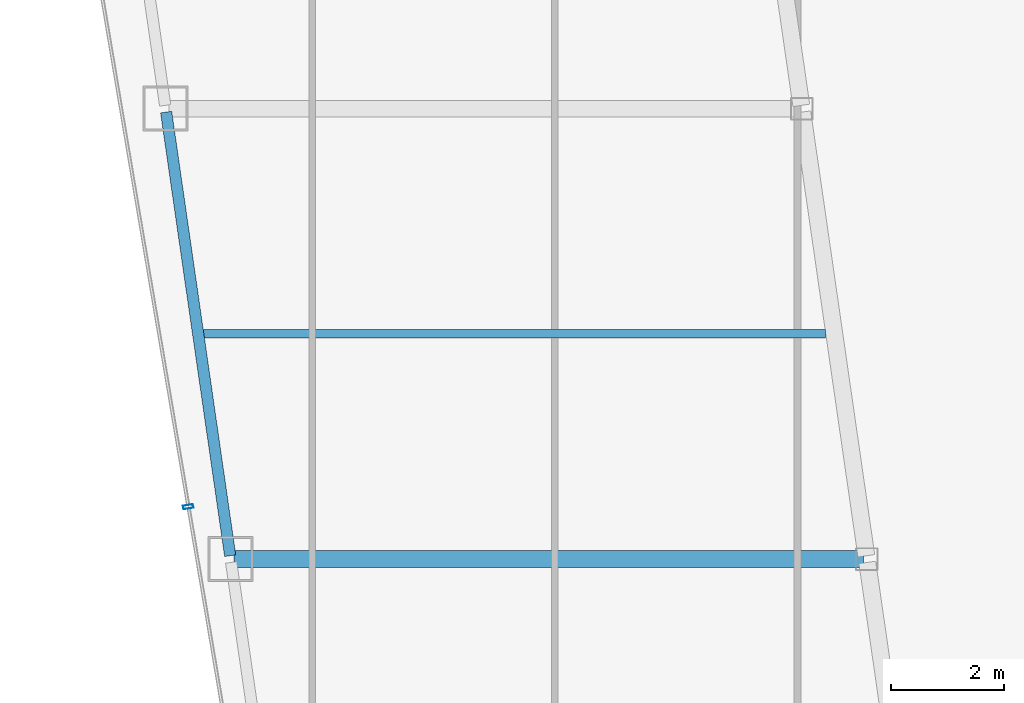
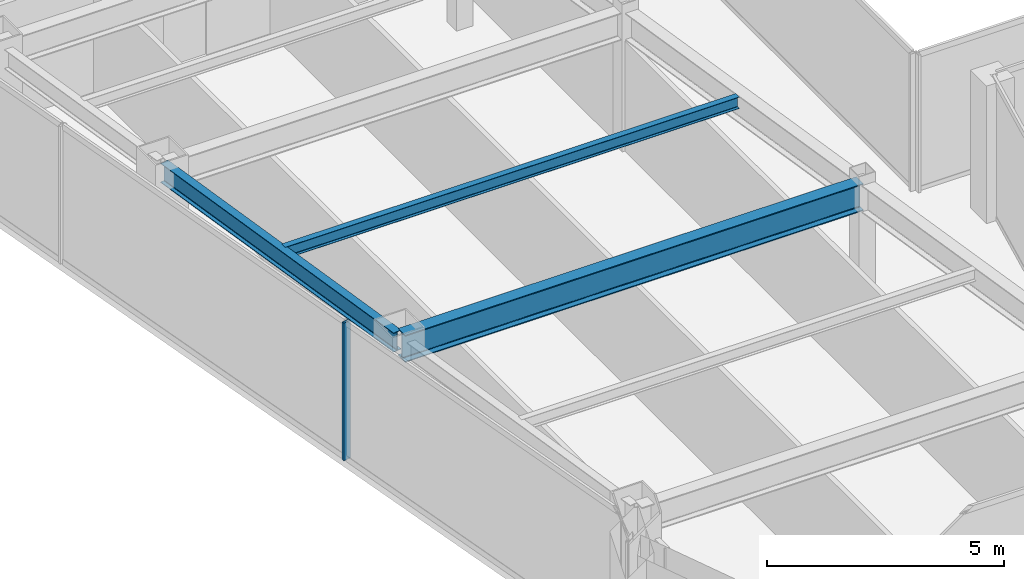
# One storey, part 5 of 35: 3 beams, 1 member, 1 element without a shape of its own.
"""IFC4 building model written with IfcOpenShell, lengths in metres."""

import ifcopenshell
import ifcopenshell.guid

model = None  # the IFC model being written
_history = None  # IfcOwnerHistory: only IFC2X3 demands one
_inside = {}  # id of a spatial element -> (the spatial element, [elements in it])
_under = {}  # id of a project, library or spatial element -> (it, [spatial elements below it])
_declared = {}  # id of a project -> (the project, [libraries it declares])
_typed = {}  # id of a type object -> (the type object, [elements of that type])
_made_of = {}  # id of a material, layer set ... -> (it, [elements and type objects made of it])


def new_model(schema):
    """Start an empty IFC model of exactly this schema.

    Asked for "IFC4X3", IfcOpenShell would pick the latest addendum, in which some entities
    have other attributes; the version numbers below select the first issue.
    IFC2X3 requires an IfcOwnerHistory on every rooted entity: one is made here for all.
    """
    global model, _history
    if schema == "IFC4X3":
        model = ifcopenshell.file(schema_version=(4, 3, 0, 0))
    else:
        model = ifcopenshell.file(schema=schema)
    _inside.clear()
    _under.clear()
    _declared.clear()
    _typed.clear()
    _made_of.clear()
    _history = None
    if model.schema == "IFC2X3":
        org = make("IfcOrganization", Name="unknown")
        user = make(
            "IfcPersonAndOrganization",
            ThePerson=make("IfcPerson", FamilyName="unknown"),
            TheOrganization=org,
        )
        app = make(
            "IfcApplication",
            ApplicationDeveloper=org,
            Version="unknown",
            ApplicationFullName="unknown",
            ApplicationIdentifier="unknown",
        )
        _history = make(
            "IfcOwnerHistory",
            OwningUser=user,
            OwningApplication=app,
            ChangeAction="ADDED",
            CreationDate=0,
        )
    return model


def make(cls, **values):
    """One entity of the class cls with the attributes given. An attribute that is None is left unset."""
    return model.create_entity(
        cls, **{name: value for name, value in values.items() if value is not None}
    )


def rooted(cls, **values):
    """An entity with a GlobalId (a new one), such as an element, a storey or a relation."""
    return make(cls, GlobalId=ifcopenshell.guid.new(), OwnerHistory=_history, **values)


def si_unit(unit_type, name, prefix=None):
    """IfcSIUnit, for example si_unit("LENGTHUNIT", "METRE", prefix="MILLI")."""
    return make("IfcSIUnit", UnitType=unit_type, Prefix=prefix, Name=name)


def assignment(units):
    """IfcUnitAssignment: the units of a project."""
    return None if units is None else make("IfcUnitAssignment", Units=units)


def point(xyz):
    """IfcCartesianPoint."""
    return None if xyz is None else make("IfcCartesianPoint", Coordinates=xyz)


def direction(xyz):
    """IfcDirection."""
    return None if xyz is None else make("IfcDirection", DirectionRatios=xyz)


def frame(location, z_axis=None, x_axis=None):
    """IfcAxis2Placement3D, a coordinate frame: its origin and axes. An axis left out is left unset."""
    return make(
        "IfcAxis2Placement3D",
        Location=point(location),
        Axis=direction(z_axis),
        RefDirection=direction(x_axis),
    )


def frame_2d(location, x_axis=None):
    """IfcAxis2Placement2D, a coordinate frame in the plane: its origin and x axis."""
    return make(
        "IfcAxis2Placement2D", Location=point(location), RefDirection=direction(x_axis)
    )


def origin():
    """The frame at (0, 0, 0) with its axes left unset."""
    return frame((0.0, 0.0, 0.0))


def origin_2d():
    """The frame at (0, 0) in the plane with its x axis left unset."""
    return frame_2d((0.0, 0.0))


def place(relative_to, where):
    """IfcLocalPlacement: puts the frame where relative to a parent placement (None: the world)."""
    return make(
        "IfcLocalPlacement", PlacementRelTo=relative_to, RelativePlacement=where
    )


def context(
    kind, dimensions, precision=None, world=None, true_north=None, identifier=None
):
    """IfcGeometricRepresentationContext, for example the 3D "Model" context."""
    return make(
        "IfcGeometricRepresentationContext",
        ContextIdentifier=identifier,
        ContextType=kind,
        CoordinateSpaceDimension=dimensions,
        Precision=precision,
        WorldCoordinateSystem=world,
        TrueNorth=true_north,
    )


def subcontext(parent, identifier, kind, view, scale=None):
    """IfcGeometricRepresentationSubContext, for example "Body" below "Model"."""
    return make(
        "IfcGeometricRepresentationSubContext",
        ContextIdentifier=identifier,
        ContextType=kind,
        ParentContext=parent,
        TargetScale=scale,
        TargetView=view,
    )


def project(units=None, contexts=None):
    """IfcProject with its units and contexts."""
    return rooted(
        "IfcProject",
        Name="project",
        RepresentationContexts=contexts,
        UnitsInContext=assignment(units),
    )


def spatial(cls, under=None, at=None, **own):
    """A site, building, storey or space (cls), placed at a placement, below another one or the project."""
    s = rooted(cls, ObjectPlacement=at, **own)
    if under is not None:
        _under.setdefault(under.id(), (under, []))[1].append(s)
    return s


def profile(cls, at=None, kind="AREA", **sizes):
    """A parametric profile (cls). Its sizes go by their IFC names, for example OverallWidth=200.0."""
    return make(cls, ProfileType=kind, Position=at, **sizes)


def hollow_rectangle(**sizes):
    """IfcRectangleHollowProfileDef."""
    return profile("IfcRectangleHollowProfileDef", **sizes)


def i_section(**sizes):
    """IfcIShapeProfileDef."""
    return profile("IfcIShapeProfileDef", **sizes)


def extrude(swept, where, along, depth):
    """IfcExtrudedAreaSolid: the profile swept, set in the frame where, extruded along a direction by depth."""
    return make(
        "IfcExtrudedAreaSolid",
        SweptArea=swept,
        Position=where,
        ExtrudedDirection=direction(along),
        Depth=depth,
    )


def shape(context_of_items, identifier, shape_type, items):
    """IfcShapeRepresentation: the items that make up one representation, for example the "Body"."""
    return make(
        "IfcShapeRepresentation",
        ContextOfItems=context_of_items,
        RepresentationIdentifier=identifier,
        RepresentationType=shape_type,
        Items=items,
    )


def material(Name=None, Category=None):
    """IfcMaterial."""
    return make("IfcMaterial", Name=Name, Category=Category)


def material_profile(
    of_material, cross_section, Name=None, Category=None, Priority=None
):
    """IfcMaterialProfile: a cross section and its material."""
    return make(
        "IfcMaterialProfile",
        Name=Name,
        Material=of_material,
        Profile=cross_section,
        Priority=Priority,
        Category=Category,
    )


def profile_set(profiles, Name=None, composite=None):
    """IfcMaterialProfileSet."""
    return make(
        "IfcMaterialProfileSet",
        Name=Name,
        MaterialProfiles=profiles,
        CompositeProfile=composite,
    )


def made_of(thing, what):
    """Note that an element or type object is made of a material, layer set ...; save() writes the relation."""
    if what is not None:
        _made_of.setdefault(what.id(), (what, []))[1].append(thing)
    return thing


def type_object(cls, material=None, **own):
    """A type object (cls), such as IfcWallType, which elements share."""
    return made_of(rooted(cls, **own), material)


def element(
    cls,
    number,
    at=None,
    inside=None,
    cuts=None,
    type_object=None,
    material=None,
    context=None,
    identifier="Body",
    shape_type=None,
    held_by="IfcProductDefinitionShape",
    body=None,
    shapes=None,
    **own,
):
    """One element of the class cls, such as IfcWall. Its Tag is "e" and its number.

    at: its placement. inside: the storey or other place that contains it. cuts: it is an
    opening in that element (IfcRelVoidsElement). A single representation is given by context,
    identifier, shape_type and body (its items); several are given by shapes. held_by: the class
    of the entity that holds the representations. save() writes the other relations.
    """
    e = rooted(cls, Tag="e%d" % number, ObjectPlacement=at, **own)
    if body is not None:
        shapes = [shape(context, identifier, shape_type, body)]
    if shapes is not None:
        e.Representation = make(held_by, Representations=shapes)
    if inside is not None:
        _inside.setdefault(inside.id(), (inside, []))[1].append(e)
    if cuts is not None:
        rooted(
            "IfcRelVoidsElement", RelatingBuildingElement=cuts, RelatedOpeningElement=e
        )
    if type_object is not None:
        _typed.setdefault(type_object.id(), (type_object, []))[1].append(e)
    return made_of(e, material)


def aggregate(whole, parts):
    """IfcRelAggregates: a whole, such as a stair, and the parts it consists of."""
    return rooted("IfcRelAggregates", RelatingObject=whole, RelatedObjects=parts)


def save(model, path):
    """Write the relations noted so far, then the file.

    IfcRelAggregates (storeys below a building ...), IfcRelContainedInSpatialStructure (elements
    in a storey), IfcRelDefinesByType, IfcRelAssociatesMaterial and IfcRelDeclares: one each for
    every whole, place, type object, material and project.
    """
    for whole, parts in _under.values():
        aggregate(whole, parts)
    for where, things in _inside.values():
        rooted(
            "IfcRelContainedInSpatialStructure",
            RelatedElements=things,
            RelatingStructure=where,
        )
    for kind, things in _typed.values():
        rooted("IfcRelDefinesByType", RelatedObjects=things, RelatingType=kind)
    for what, things in _made_of.values():
        rooted("IfcRelAssociatesMaterial", RelatedObjects=things, RelatingMaterial=what)
    for by, libraries in _declared.values():
        rooted("IfcRelDeclares", RelatingContext=by, RelatedDefinitions=libraries)
    model.write(path)


model = new_model("IFC4")

# Units and contexts
model_context = context("Model", 3, precision=1e-05, world=origin(), true_north=direction((0.0, 1.0)))
body_context = subcontext(model_context, "Body", "Model", "MODEL_VIEW")
ifc_project = project(units=[si_unit("LENGTHUNIT", "METRE"), si_unit("AREAUNIT", "SQUARE_METRE"), si_unit("VOLUMEUNIT", "CUBIC_METRE"), si_unit("PLANEANGLEUNIT", "RADIAN"), si_unit("MASSUNIT", "GRAM", prefix="KILO")], contexts=[model_context])

# Site, building, storey
site_placement = place(None, origin())
site = spatial("IfcSite", under=ifc_project, at=site_placement, CompositionType="ELEMENT")
building_placement = place(site_placement, origin())
building = spatial("IfcBuilding", under=site, at=building_placement, Name="Saevonmaru Cultural Tower", CompositionType="ELEMENT")
storey_placement = place(building_placement, frame((0.0, 0.0, 190.39990234375)))
storey = spatial("IfcBuildingStorey", under=building, at=storey_placement, Name="L43", CompositionType="ELEMENT", Elevation=190.39990234375)

# Beams
ifc_material_1 = material(Name="Steel SM355", Category="steel")
ifc_material_profile_1 = material_profile(ifc_material_1, i_section(OverallWidth=0.300048828125, OverallDepth=0.699951171875, WebThickness=0.012939453125, FlangeThickness=0.02392578125, FilletRadius=0.02587890625, at=origin_2d()), Name="H-700x300x13x24")
ifc_profile_set_1 = profile_set([ifc_material_profile_1], Name="Steel SM355")
beam_type_1 = type_object("IfcBeamType", Name="BM-G-H700", PredefinedType="BEAM", material=ifc_profile_set_1)
beam_1_placement = place(storey_placement, frame((9.531982421875, 24.0, 3.2001953125), z_axis=(1.0, 0.0, 0.0), x_axis=(0.0, 1.0, 0.0)))
element("IfcBeam", 1, at=beam_1_placement, inside=storey, type_object=beam_type_1, Name="L43 West Wing Transverse Girder 2", PredefinedType="BEAM", context=body_context, shape_type="SweptSolid", body=[
    extrude(i_section(OverallWidth=0.300048828125, OverallDepth=0.699951171875, WebThickness=0.012939453125, FlangeThickness=0.02392578125, FilletRadius=0.02587890625, at=origin_2d()), origin(), (0.0, 0.0, 1.0), 11.179931640625),
])
ifc_material_profile_2 = material_profile(ifc_material_1, i_section(OverallWidth=0.14990234375, OverallDepth=0.300048828125, WebThickness=0.006591796875, FlangeThickness=0.009033203125, FilletRadius=0.012939453125, at=origin_2d()), Name="H-300x150x6.5x9")
ifc_profile_set_2 = profile_set([ifc_material_profile_2], Name="Steel SM355")
beam_type_2 = type_object("IfcBeamType", Name="BM-J-H300", PredefinedType="JOIST", material=ifc_profile_set_2)
beam_2_placement = place(storey_placement, frame((8.95458984375, 28.0, 3.400146484375), z_axis=(1.0, 0.0, 0.0), x_axis=(0.0, 1.0, 0.0)))
element("IfcBeam", 2, at=beam_2_placement, inside=storey, type_object=beam_type_2, Name="L43 West Wing Floor Joist 2", PredefinedType="JOIST", context=body_context, shape_type="SweptSolid", body=[
    extrude(i_section(OverallWidth=0.14990234375, OverallDepth=0.300048828125, WebThickness=0.006591796875, FlangeThickness=0.009033203125, FilletRadius=0.012939453125, at=origin_2d()), origin(), (0.0, 0.0, 1.0), 11.08203125),
])
ifc_material_profile_3 = material_profile(ifc_material_1, i_section(OverallWidth=0.199951171875, OverallDepth=0.5, WebThickness=0.010009765625, FlangeThickness=0.01611328125, FilletRadius=0.02001953125, at=origin_2d()), Name="H-500x200x10x16")
ifc_profile_set_3 = profile_set([ifc_material_profile_3], Name="Steel SM355")
beam_type_3 = type_object("IfcBeamType", Name="BM-SP-H500", PredefinedType="SPANDREL", material=ifc_profile_set_3)
beam_3_placement = place(storey_placement, frame((9.46337890625, 24.059326171875, 3.300048828125), z_axis=(-0.142871999001, 0.989741174197, 0.0), x_axis=(-0.989741174197, -0.142871999001, 0.0)))
element("IfcBeam", 3, at=beam_3_placement, inside=storey, type_object=beam_type_3, Name="L43 West Splayed Spandrel 2", PredefinedType="SPANDREL", context=body_context, shape_type="SweptSolid", body=[
    extrude(i_section(OverallWidth=0.199951171875, OverallDepth=0.5, WebThickness=0.010009765625, FlangeThickness=0.01611328125, FilletRadius=0.02001953125, at=origin_2d()), origin(), (0.0, 0.0, 1.0), 7.963134765625),
])

# Curtain wall, member
ifc_material_2 = material(Name="Satin Bronze Anodised Aluminium", Category="aluminium")
curtain_wall_type = type_object("IfcCurtainWallType", Name="CW-TYP-B", PredefinedType="NOTDEFINED", material=ifc_material_2)
curtain_wall_placement = place(storey_placement, origin())
curtain_wall = element("IfcCurtainWall", 4, at=curtain_wall_placement, inside=storey, type_object=curtain_wall_type, Name="L43 Unitised Curtain Wall E12", PredefinedType="NOTDEFINED")
ifc_material_profile_4 = material_profile(ifc_material_2, hollow_rectangle(XDim=0.06494140625, YDim=0.179931640625, WallThickness=0.00390625, at=origin_2d()), Name="ALU-MULL-180x65x4")
ifc_profile_set_4 = profile_set([ifc_material_profile_4], Name="Satin Bronze Anodised Aluminium")
member_type = type_object("IfcMemberType", Name="ML-CW-180x65", PredefinedType="MULLION", material=ifc_profile_set_4)
member_placement = place(storey_placement, frame((8.71826171875, 24.9296875, 0.0), z_axis=(0.0, 0.0, 1.0), x_axis=(0.16692169721, -0.985970155228, 0.0)))
member = element("IfcMember", 5, at=member_placement, type_object=member_type, Name="CW-TW-L43-E12 mullion 4", PredefinedType="MULLION", context=body_context, shape_type="SweptSolid", body=[
    extrude(hollow_rectangle(XDim=0.06494140625, YDim=0.179931640625, WallThickness=0.00390625, at=origin_2d()), origin(), (0.0, 0.0, 1.0), 3.550048828125),
])
aggregate(curtain_wall, [member])

save(model, "model.ifc")
